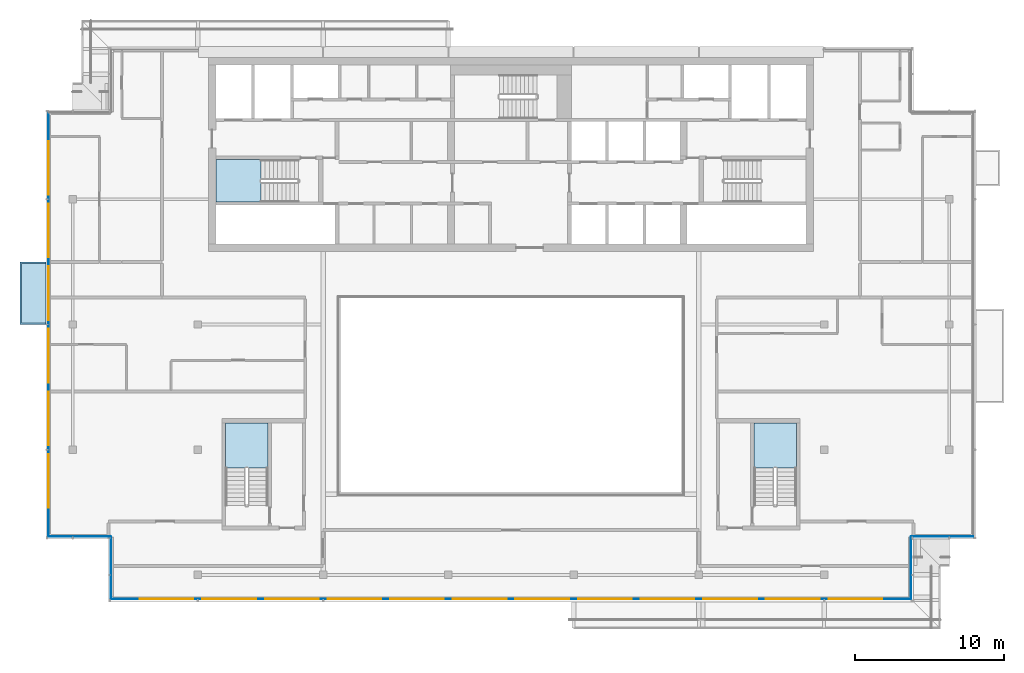
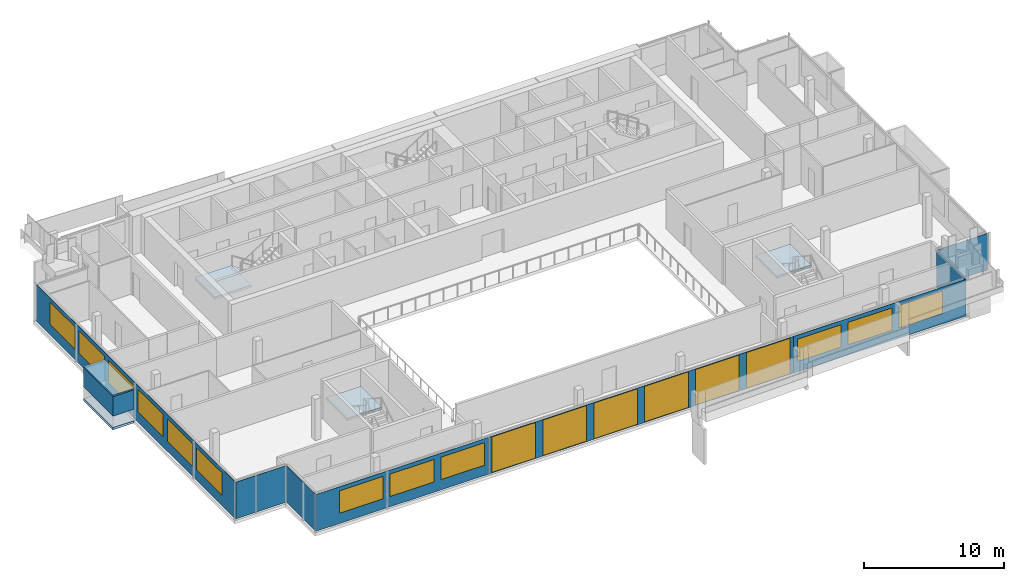
# One storey, part 9 of 21: 18 windows, 10 plates, 4 slabs, 18 openings, 9 elements without a shape of their own.
"""IFC4 building model written with IfcOpenShell, lengths in metres."""

from ifc_helpers import new_model, si_unit, direction, frame, frame_2d, origin, place, context, subcontext, project, spatial, polyline, rectangle, outline, extrude, material, layer, layer_set, type_object, element, fill, aggregate, save


model = new_model("IFC4")

# Units and contexts
model_context = context("Model", 3, precision=1e-05, world=origin(), true_north=direction((0.0, 1.0)))
body_context = subcontext(model_context, "Body", "Model", "MODEL_VIEW")
ifc_project = project(units=[si_unit("LENGTHUNIT", "METRE"), si_unit("AREAUNIT", "SQUARE_METRE"), si_unit("VOLUMEUNIT", "CUBIC_METRE"), si_unit("PLANEANGLEUNIT", "RADIAN"), si_unit("MASSUNIT", "GRAM", prefix="KILO")], contexts=[model_context])

# Site, building, storey
site_placement = place(None, origin())
site = spatial("IfcSite", under=ifc_project, at=site_placement, CompositionType="ELEMENT")
building_placement = place(site_placement, origin())
building = spatial("IfcBuilding", under=site, at=building_placement, Name="Saffron Gate Tower", CompositionType="ELEMENT")
storey_placement = place(building_placement, frame((0.0, 0.0, 288.75)))
storey = spatial("IfcBuildingStorey", under=building, at=storey_placement, Name="L70", CompositionType="ELEMENT", Elevation=288.75)

# Curtain wall, plates, openings, windows
ifc_material_1 = material(Name="Aluminium, bronze anodised", Category="aluminium")
curtain_wall_type_1 = type_object("IfcCurtainWallType", Name="CWS1 curtain wall front facade", PredefinedType="NOTDEFINED", material=ifc_material_1)
curtain_wall_1_placement = place(storey_placement, origin())
curtain_wall_1 = element("IfcCurtainWall", 1, at=curtain_wall_1_placement, inside=storey, type_object=curtain_wall_type_1, Name="CWS1 run 1", PredefinedType="NOTDEFINED")
ifc_material_2 = material(Name="Clear low-iron laminated glass", Category="glass")
ifc_layer_1 = layer(ifc_material_2, 0.028076171875)
ifc_layer_set_1 = layer_set([ifc_layer_1], Name="CWS1 clear glass")
plate_type_1 = type_object("IfcPlateType", Name="CWS1 clear glass", PredefinedType="CURTAIN_PANEL", material=ifc_layer_set_1)
plate_1_placement = place(storey_placement, frame((75.030029296875, 38.573974609375, 0.0), z_axis=(0.0, 0.0, 1.0), x_axis=(1.0, 0.0, 0.0)))
plate_1 = element("IfcPlate", 2, at=plate_1_placement, type_object=plate_type_1, Name="CWS1 clear glass panel", PredefinedType="CURTAIN_PANEL", context=body_context, shape_type="SweptSolid", body=[
    extrude(rectangle(XDim=25.139892578125, YDim=0.028076171875, at=frame_2d((12.56982421875, 0.0))), origin(), (0.0, 0.0, 1.0), 3.199951171875),
])
opening_1_placement = place(plate_1_placement, frame((0.27001953125, 0.0, 0.050048828125)))
opening_1 = element("IfcOpeningElement", 3, at=opening_1_placement, cuts=plate_1, Name="Opening WA", PredefinedType="OPENING", context=body_context, shape_type="SweptSolid", body=[
    extrude(rectangle(XDim=3.60009765625, YDim=3.10009765625, at=frame_2d((1.800048828125, 1.550048828125))), frame((0.0, 0.02392578125, 0.0), z_axis=(0.0, -1.0, 0.0), x_axis=(1.0, 0.0, 0.0)), (0.0, 0.0, 1.0), 0.048095703125),
])
opening_2_placement = place(plate_1_placement, frame((4.469970703125, 0.0, 0.050048828125)))
opening_2 = element("IfcOpeningElement", 4, at=opening_2_placement, cuts=plate_1, Name="Opening WA", PredefinedType="OPENING", context=body_context, shape_type="SweptSolid", body=[
    extrude(rectangle(XDim=3.60009765625, YDim=3.10009765625, at=frame_2d((1.800048828125, 1.550048828125))), frame((0.0, 0.02392578125, 0.0), z_axis=(0.0, -1.0, 0.0), x_axis=(1.0, 0.0, 0.0)), (0.0, 0.0, 1.0), 0.048095703125),
])
opening_3_placement = place(plate_1_placement, frame((8.669921875, 0.0, 0.050048828125)))
opening_3 = element("IfcOpeningElement", 5, at=opening_3_placement, cuts=plate_1, Name="Opening WA", PredefinedType="OPENING", context=body_context, shape_type="SweptSolid", body=[
    extrude(rectangle(XDim=3.60009765625, YDim=3.10009765625, at=frame_2d((1.800048828125, 1.550048828125))), frame((0.0, 0.02392578125, 0.0), z_axis=(0.0, -1.0, 0.0), x_axis=(1.0, 0.0, 0.0)), (0.0, 0.0, 1.0), 0.048095703125),
])
opening_4_placement = place(plate_1_placement, frame((12.8701171875, 0.0, 0.050048828125)))
opening_4 = element("IfcOpeningElement", 6, at=opening_4_placement, cuts=plate_1, Name="Opening WA", PredefinedType="OPENING", context=body_context, shape_type="SweptSolid", body=[
    extrude(rectangle(XDim=3.60009765625, YDim=3.10009765625, at=frame_2d((1.800048828125, 1.550048828125))), frame((0.0, 0.02392578125, 0.0), z_axis=(0.0, -1.0, 0.0), x_axis=(1.0, 0.0, 0.0)), (0.0, 0.0, 1.0), 0.048095703125),
])
opening_5_placement = place(plate_1_placement, frame((17.070068359375, 0.0, 0.050048828125)))
opening_5 = element("IfcOpeningElement", 7, at=opening_5_placement, cuts=plate_1, Name="Opening WA", PredefinedType="OPENING", context=body_context, shape_type="SweptSolid", body=[
    extrude(rectangle(XDim=3.60009765625, YDim=3.10009765625, at=frame_2d((1.800048828125, 1.550048828125))), frame((0.0, 0.02392578125, 0.0), z_axis=(0.0, -1.0, 0.0), x_axis=(1.0, 0.0, 0.0)), (0.0, 0.0, 1.0), 0.048095703125),
])
opening_6_placement = place(plate_1_placement, frame((21.27001953125, 0.0, 0.050048828125)))
opening_6 = element("IfcOpeningElement", 8, at=opening_6_placement, cuts=plate_1, Name="Opening WA", PredefinedType="OPENING", context=body_context, shape_type="SweptSolid", body=[
    extrude(rectangle(XDim=3.60009765625, YDim=3.10009765625, at=frame_2d((1.800048828125, 1.550048828125))), frame((0.0, 0.02392578125, 0.0), z_axis=(0.0, -1.0, 0.0), x_axis=(1.0, 0.0, 0.0)), (0.0, 0.0, 1.0), 0.048095703125),
])
ifc_material_3 = material(Name="Clear low-iron laminated glass in bronze frame", Category="glass")
ifc_layer_2 = layer(ifc_material_3, 0.06005859375)
ifc_layer_set_2 = layer_set([ifc_layer_2], Name="WA operable atrium unit 3600x3100")
window_type_1 = type_object("IfcWindowType", Name="WA operable atrium unit 3600x3100", PartitioningType="DOUBLE_PANEL_HORIZONTAL", PredefinedType="WINDOW", material=ifc_layer_set_2)
window_1_placement = place(opening_1_placement, origin())
window_1 = element("IfcWindow", 9, at=window_1_placement, type_object=window_type_1, Name="WA operable atrium unit", OverallHeight=3.10009765625, OverallWidth=3.60009765625, PartitioningType="SINGLE_PANEL", PredefinedType="WINDOW", context=body_context, shape_type="SweptSolid", body=[
    extrude(rectangle(XDim=3.60009765625, YDim=3.10009765625, at=frame_2d((1.800048828125, 1.550048828125))), frame((0.0, 0.013671875, 0.0), z_axis=(0.0, -1.0, 0.0), x_axis=(1.0, 0.0, 0.0)), (0.0, 0.0, 1.0), 0.027587890625),
])
fill(opening_1, window_1)
window_2_placement = place(opening_2_placement, origin())
window_2 = element("IfcWindow", 10, at=window_2_placement, type_object=window_type_1, Name="WA operable atrium unit", OverallHeight=3.10009765625, OverallWidth=3.60009765625, PartitioningType="SINGLE_PANEL", PredefinedType="WINDOW", context=body_context, shape_type="SweptSolid", body=[
    extrude(rectangle(XDim=3.60009765625, YDim=3.10009765625, at=frame_2d((1.800048828125, 1.550048828125))), frame((0.0, 0.013671875, 0.0), z_axis=(0.0, -1.0, 0.0), x_axis=(1.0, 0.0, 0.0)), (0.0, 0.0, 1.0), 0.027587890625),
])
fill(opening_2, window_2)
window_3_placement = place(opening_3_placement, origin())
window_3 = element("IfcWindow", 11, at=window_3_placement, type_object=window_type_1, Name="WA operable atrium unit", OverallHeight=3.10009765625, OverallWidth=3.60009765625, PartitioningType="SINGLE_PANEL", PredefinedType="WINDOW", context=body_context, shape_type="SweptSolid", body=[
    extrude(rectangle(XDim=3.60009765625, YDim=3.10009765625, at=frame_2d((1.800048828125, 1.550048828125))), frame((0.0, 0.013671875, 0.0), z_axis=(0.0, -1.0, 0.0), x_axis=(1.0, 0.0, 0.0)), (0.0, 0.0, 1.0), 0.027587890625),
])
fill(opening_3, window_3)
window_4_placement = place(opening_4_placement, origin())
window_4 = element("IfcWindow", 12, at=window_4_placement, type_object=window_type_1, Name="WA operable atrium unit", OverallHeight=3.10009765625, OverallWidth=3.60009765625, PartitioningType="SINGLE_PANEL", PredefinedType="WINDOW", context=body_context, shape_type="SweptSolid", body=[
    extrude(rectangle(XDim=3.60009765625, YDim=3.10009765625, at=frame_2d((1.800048828125, 1.550048828125))), frame((0.0, 0.013671875, 0.0), z_axis=(0.0, -1.0, 0.0), x_axis=(1.0, 0.0, 0.0)), (0.0, 0.0, 1.0), 0.027587890625),
])
fill(opening_4, window_4)
window_5_placement = place(opening_5_placement, origin())
window_5 = element("IfcWindow", 13, at=window_5_placement, type_object=window_type_1, Name="WA operable atrium unit", OverallHeight=3.10009765625, OverallWidth=3.60009765625, PartitioningType="SINGLE_PANEL", PredefinedType="WINDOW", context=body_context, shape_type="SweptSolid", body=[
    extrude(rectangle(XDim=3.60009765625, YDim=3.10009765625, at=frame_2d((1.800048828125, 1.550048828125))), frame((0.0, 0.013671875, 0.0), z_axis=(0.0, -1.0, 0.0), x_axis=(1.0, 0.0, 0.0)), (0.0, 0.0, 1.0), 0.027587890625),
])
fill(opening_5, window_5)
window_6_placement = place(opening_6_placement, origin())
window_6 = element("IfcWindow", 14, at=window_6_placement, type_object=window_type_1, Name="WA operable atrium unit", OverallHeight=3.10009765625, OverallWidth=3.60009765625, PartitioningType="SINGLE_PANEL", PredefinedType="WINDOW", context=body_context, shape_type="SweptSolid", body=[
    extrude(rectangle(XDim=3.60009765625, YDim=3.10009765625, at=frame_2d((1.800048828125, 1.550048828125))), frame((0.0, 0.013671875, 0.0), z_axis=(0.0, -1.0, 0.0), x_axis=(1.0, 0.0, 0.0)), (0.0, 0.0, 1.0), 0.027587890625),
])
fill(opening_6, window_6)
ifc_material_4 = material(Name="Fritted bronze-tinted laminated glass", Category="glass")
ifc_layer_3 = layer(ifc_material_4, 0.028076171875)
ifc_layer_set_3 = layer_set([ifc_layer_3], Name="CWS1 fixed glass")
plate_type_2 = type_object("IfcPlateType", Name="CWS1 fixed glass", PredefinedType="CURTAIN_PANEL", material=ifc_layer_set_3)
plate_2_placement = place(storey_placement, frame((60.7880859375, 38.573974609375, 0.0), z_axis=(0.0, 0.0, 1.0), x_axis=(1.0, 0.0, 0.0)))
plate_2 = element("IfcPlate", 15, at=plate_2_placement, type_object=plate_type_2, Name="CWS1 glass panel", PredefinedType="CURTAIN_PANEL", context=body_context, shape_type="SweptSolid", body=[
    extrude(rectangle(XDim=14.241943359375, YDim=0.028076171875, at=frame_2d((7.12109375, 0.0))), origin(), (0.0, 0.0, 1.0), 3.199951171875),
])
opening_7_placement = place(plate_2_placement, frame((1.912109375, 0.0, 0.89990234375)))
opening_7 = element("IfcOpeningElement", 16, at=opening_7_placement, cuts=plate_2, Name="Opening W1", PredefinedType="OPENING", context=body_context, shape_type="SweptSolid", body=[
    extrude(rectangle(XDim=3.60009765625, YDim=1.949951171875, at=frame_2d((1.800048828125, 0.97509765625))), frame((0.0, 0.02392578125, 0.0), z_axis=(0.0, -1.0, 0.0), x_axis=(1.0, 0.0, 0.0)), (0.0, 0.0, 1.0), 0.048095703125),
])
opening_8_placement = place(plate_2_placement, frame((6.112060546875, 0.0, 0.89990234375)))
opening_8 = element("IfcOpeningElement", 17, at=opening_8_placement, cuts=plate_2, Name="Opening W1", PredefinedType="OPENING", context=body_context, shape_type="SweptSolid", body=[
    extrude(rectangle(XDim=3.60009765625, YDim=1.949951171875, at=frame_2d((1.800048828125, 0.97509765625))), frame((0.0, 0.02392578125, 0.0), z_axis=(0.0, -1.0, 0.0), x_axis=(1.0, 0.0, 0.0)), (0.0, 0.0, 1.0), 0.048095703125),
])
opening_9_placement = place(plate_2_placement, frame((10.31201171875, 0.0, 0.89990234375)))
opening_9 = element("IfcOpeningElement", 18, at=opening_9_placement, cuts=plate_2, Name="Opening W1", PredefinedType="OPENING", context=body_context, shape_type="SweptSolid", body=[
    extrude(rectangle(XDim=3.60009765625, YDim=1.949951171875, at=frame_2d((1.800048828125, 0.97509765625))), frame((0.0, 0.02392578125, 0.0), z_axis=(0.0, -1.0, 0.0), x_axis=(1.0, 0.0, 0.0)), (0.0, 0.0, 1.0), 0.048095703125),
])
ifc_material_5 = material(Name="Fritted bronze-tinted laminated glass in bronze frame", Category="glass")
ifc_layer_4 = layer(ifc_material_5, 0.06005859375)
ifc_layer_set_4 = layer_set([ifc_layer_4], Name="W1 operable panel 3600x1950")
window_type_2 = type_object("IfcWindowType", Name="W1 operable panel 3600x1950", PartitioningType="DOUBLE_PANEL_HORIZONTAL", PredefinedType="WINDOW", material=ifc_layer_set_4)
window_7_placement = place(opening_7_placement, origin())
window_7 = element("IfcWindow", 19, at=window_7_placement, type_object=window_type_2, Name="W1 operable panel", OverallHeight=1.949951171875, OverallWidth=3.60009765625, PartitioningType="SINGLE_PANEL", PredefinedType="WINDOW", context=body_context, shape_type="SweptSolid", body=[
    extrude(rectangle(XDim=3.60009765625, YDim=1.949951171875, at=frame_2d((1.800048828125, 0.97509765625))), frame((0.0, 0.013671875, 0.0), z_axis=(0.0, -1.0, 0.0), x_axis=(1.0, 0.0, 0.0)), (0.0, 0.0, 1.0), 0.027587890625),
])
fill(opening_7, window_7)
window_8_placement = place(opening_8_placement, origin())
window_8 = element("IfcWindow", 20, at=window_8_placement, type_object=window_type_2, Name="W1 operable panel", OverallHeight=1.949951171875, OverallWidth=3.60009765625, PartitioningType="SINGLE_PANEL", PredefinedType="WINDOW", context=body_context, shape_type="SweptSolid", body=[
    extrude(rectangle(XDim=3.60009765625, YDim=1.949951171875, at=frame_2d((1.800048828125, 0.97509765625))), frame((0.0, 0.013671875, 0.0), z_axis=(0.0, -1.0, 0.0), x_axis=(1.0, 0.0, 0.0)), (0.0, 0.0, 1.0), 0.027587890625),
])
fill(opening_8, window_8)
window_9_placement = place(opening_9_placement, origin())
window_9 = element("IfcWindow", 21, at=window_9_placement, type_object=window_type_2, Name="W1 operable panel", OverallHeight=1.949951171875, OverallWidth=3.60009765625, PartitioningType="SINGLE_PANEL", PredefinedType="WINDOW", context=body_context, shape_type="SweptSolid", body=[
    extrude(rectangle(XDim=3.60009765625, YDim=1.949951171875, at=frame_2d((1.800048828125, 0.97509765625))), frame((0.0, 0.013671875, 0.0), z_axis=(0.0, -1.0, 0.0), x_axis=(1.0, 0.0, 0.0)), (0.0, 0.0, 1.0), 0.027587890625),
])
fill(opening_9, window_9)
plate_3_placement = place(storey_placement, frame((100.169921875, 38.573974609375, 0.0), z_axis=(0.0, 0.0, 1.0), x_axis=(1.0, 0.0, 0.0)))
plate_3 = element("IfcPlate", 22, at=plate_3_placement, type_object=plate_type_2, Name="CWS1 glass panel", PredefinedType="CURTAIN_PANEL", context=body_context, shape_type="SweptSolid", body=[
    extrude(rectangle(XDim=14.2421875, YDim=0.028076171875, at=frame_2d((7.12109375, 0.0))), origin(), (0.0, 0.0, 1.0), 3.199951171875),
])
opening_10_placement = place(plate_3_placement, frame((0.330078125, 0.0, 0.89990234375)))
opening_10 = element("IfcOpeningElement", 23, at=opening_10_placement, cuts=plate_3, Name="Opening W1", PredefinedType="OPENING", context=body_context, shape_type="SweptSolid", body=[
    extrude(rectangle(XDim=3.60009765625, YDim=1.949951171875, at=frame_2d((1.800048828125, 0.97509765625))), frame((0.0, 0.02392578125, 0.0), z_axis=(0.0, -1.0, 0.0), x_axis=(1.0, 0.0, 0.0)), (0.0, 0.0, 1.0), 0.048095703125),
])
opening_11_placement = place(plate_3_placement, frame((4.530029296875, 0.0, 0.89990234375)))
opening_11 = element("IfcOpeningElement", 24, at=opening_11_placement, cuts=plate_3, Name="Opening W1", PredefinedType="OPENING", context=body_context, shape_type="SweptSolid", body=[
    extrude(rectangle(XDim=3.60009765625, YDim=1.949951171875, at=frame_2d((1.800048828125, 0.97509765625))), frame((0.0, 0.02392578125, 0.0), z_axis=(0.0, -1.0, 0.0), x_axis=(1.0, 0.0, 0.0)), (0.0, 0.0, 1.0), 0.048095703125),
])
opening_12_placement = place(plate_3_placement, frame((8.72998046875, 0.0, 0.89990234375)))
opening_12 = element("IfcOpeningElement", 25, at=opening_12_placement, cuts=plate_3, Name="Opening W1", PredefinedType="OPENING", context=body_context, shape_type="SweptSolid", body=[
    extrude(rectangle(XDim=3.60009765625, YDim=1.949951171875, at=frame_2d((1.800048828125, 0.97509765625))), frame((0.0, 0.02392578125, 0.0), z_axis=(0.0, -1.0, 0.0), x_axis=(1.0, 0.0, 0.0)), (0.0, 0.0, 1.0), 0.048095703125),
])
window_10_placement = place(opening_10_placement, origin())
window_10 = element("IfcWindow", 26, at=window_10_placement, type_object=window_type_2, Name="W1 operable panel", OverallHeight=1.949951171875, OverallWidth=3.60009765625, PartitioningType="SINGLE_PANEL", PredefinedType="WINDOW", context=body_context, shape_type="SweptSolid", body=[
    extrude(rectangle(XDim=3.60009765625, YDim=1.949951171875, at=frame_2d((1.800048828125, 0.97509765625))), frame((0.0, 0.013671875, 0.0), z_axis=(0.0, -1.0, 0.0), x_axis=(1.0, 0.0, 0.0)), (0.0, 0.0, 1.0), 0.027587890625),
])
fill(opening_10, window_10)
window_11_placement = place(opening_11_placement, origin())
window_11 = element("IfcWindow", 27, at=window_11_placement, type_object=window_type_2, Name="W1 operable panel", OverallHeight=1.949951171875, OverallWidth=3.60009765625, PartitioningType="SINGLE_PANEL", PredefinedType="WINDOW", context=body_context, shape_type="SweptSolid", body=[
    extrude(rectangle(XDim=3.60009765625, YDim=1.949951171875, at=frame_2d((1.800048828125, 0.97509765625))), frame((0.0, 0.013671875, 0.0), z_axis=(0.0, -1.0, 0.0), x_axis=(1.0, 0.0, 0.0)), (0.0, 0.0, 1.0), 0.027587890625),
])
fill(opening_11, window_11)
window_12_placement = place(opening_12_placement, origin())
window_12 = element("IfcWindow", 28, at=window_12_placement, type_object=window_type_2, Name="W1 operable panel", OverallHeight=1.949951171875, OverallWidth=3.60009765625, PartitioningType="SINGLE_PANEL", PredefinedType="WINDOW", context=body_context, shape_type="SweptSolid", body=[
    extrude(rectangle(XDim=3.60009765625, YDim=1.949951171875, at=frame_2d((1.800048828125, 0.97509765625))), frame((0.0, 0.013671875, 0.0), z_axis=(0.0, -1.0, 0.0), x_axis=(1.0, 0.0, 0.0)), (0.0, 0.0, 1.0), 0.027587890625),
])
fill(opening_12, window_12)
aggregate(curtain_wall_1, [plate_2, plate_3, plate_1, window_7, window_8, window_9, window_10, window_11, window_12, window_1, window_2, window_3, window_4, window_5, window_6])

# Curtain wall, plate, openings, windows
curtain_wall_type_2 = type_object("IfcCurtainWallType", Name="CWS2 curtain wall side facades", PredefinedType="NOTDEFINED", material=ifc_material_1)
curtain_wall_2_placement = place(storey_placement, origin())
curtain_wall_2 = element("IfcCurtainWall", 29, at=curtain_wall_2_placement, inside=storey, type_object=curtain_wall_type_2, Name="CWS2 run 10", PredefinedType="NOTDEFINED")
ifc_layer_5 = layer(ifc_material_4, 0.028076171875)
ifc_layer_set_5 = layer_set([ifc_layer_5], Name="CWS2 fixed glass")
plate_type_3 = type_object("IfcPlateType", Name="CWS2 fixed glass", PredefinedType="CURTAIN_PANEL", material=ifc_layer_set_5)
plate_4_placement = place(storey_placement, frame((56.573974609375, 71.2119140625, 0.0), z_axis=(0.0, 0.0, 1.0), x_axis=(0.0, -1.0, 0.0)))
plate_4 = element("IfcPlate", 30, at=plate_4_placement, type_object=plate_type_3, Name="CWS2 glass panel", PredefinedType="CURTAIN_PANEL", context=body_context, shape_type="SweptSolid", body=[
    extrude(rectangle(XDim=28.423828125, YDim=0.028076171875, at=frame_2d((14.2119140625, 0.0))), origin(), (0.0, 0.0, 1.0), 3.199951171875),
])
opening_13_placement = place(plate_4_placement, frame((1.912109375, 0.0, 0.89990234375)))
opening_13 = element("IfcOpeningElement", 31, at=opening_13_placement, cuts=plate_4, Name="Opening W1", PredefinedType="OPENING", context=body_context, shape_type="SweptSolid", body=[
    extrude(rectangle(XDim=3.60009765625, YDim=1.949951171875, at=frame_2d((1.800048828125, 0.97509765625))), frame((0.0, 0.02392578125, 0.0), z_axis=(0.0, -1.0, 0.0), x_axis=(1.0, 0.0, 0.0)), (0.0, 0.0, 1.0), 0.048095703125),
])
opening_14_placement = place(plate_4_placement, frame((6.112060546875, 0.0, 0.89990234375)))
opening_14 = element("IfcOpeningElement", 32, at=opening_14_placement, cuts=plate_4, Name="Opening W1", PredefinedType="OPENING", context=body_context, shape_type="SweptSolid", body=[
    extrude(rectangle(XDim=3.60009765625, YDim=1.949951171875, at=frame_2d((1.800048828125, 0.97509765625))), frame((0.0, 0.02392578125, 0.0), z_axis=(0.0, -1.0, 0.0), x_axis=(1.0, 0.0, 0.0)), (0.0, 0.0, 1.0), 0.048095703125),
])
opening_15_placement = place(plate_4_placement, frame((10.31201171875, 0.0, 0.89990234375)))
opening_15 = element("IfcOpeningElement", 33, at=opening_15_placement, cuts=plate_4, Name="Opening W1", PredefinedType="OPENING", context=body_context, shape_type="SweptSolid", body=[
    extrude(rectangle(XDim=3.60009765625, YDim=1.949951171875, at=frame_2d((1.800048828125, 0.97509765625))), frame((0.0, 0.02392578125, 0.0), z_axis=(0.0, -1.0, 0.0), x_axis=(1.0, 0.0, 0.0)), (0.0, 0.0, 1.0), 0.048095703125),
])
opening_16_placement = place(plate_4_placement, frame((14.511962890625, 0.0, 0.89990234375)))
opening_16 = element("IfcOpeningElement", 34, at=opening_16_placement, cuts=plate_4, Name="Opening W1", PredefinedType="OPENING", context=body_context, shape_type="SweptSolid", body=[
    extrude(rectangle(XDim=3.60009765625, YDim=1.949951171875, at=frame_2d((1.800048828125, 0.97509765625))), frame((0.0, 0.02392578125, 0.0), z_axis=(0.0, -1.0, 0.0), x_axis=(1.0, 0.0, 0.0)), (0.0, 0.0, 1.0), 0.048095703125),
])
opening_17_placement = place(plate_4_placement, frame((18.7119140625, 0.0, 0.89990234375)))
opening_17 = element("IfcOpeningElement", 35, at=opening_17_placement, cuts=plate_4, Name="Opening W1", PredefinedType="OPENING", context=body_context, shape_type="SweptSolid", body=[
    extrude(rectangle(XDim=3.60009765625, YDim=1.949951171875, at=frame_2d((1.800048828125, 0.97509765625))), frame((0.0, 0.02392578125, 0.0), z_axis=(0.0, -1.0, 0.0), x_axis=(1.0, 0.0, 0.0)), (0.0, 0.0, 1.0), 0.048095703125),
])
opening_18_placement = place(plate_4_placement, frame((22.912109375, 0.0, 0.89990234375)))
opening_18 = element("IfcOpeningElement", 36, at=opening_18_placement, cuts=plate_4, Name="Opening W1", PredefinedType="OPENING", context=body_context, shape_type="SweptSolid", body=[
    extrude(rectangle(XDim=3.60009765625, YDim=1.949951171875, at=frame_2d((1.800048828125, 0.97509765625))), frame((0.0, 0.02392578125, 0.0), z_axis=(0.0, -1.0, 0.0), x_axis=(1.0, 0.0, 0.0)), (0.0, 0.0, 1.0), 0.048095703125),
])
window_13_placement = place(opening_13_placement, origin())
window_13 = element("IfcWindow", 37, at=window_13_placement, type_object=window_type_2, Name="W1 operable panel", OverallHeight=1.949951171875, OverallWidth=3.60009765625, PartitioningType="SINGLE_PANEL", PredefinedType="WINDOW", context=body_context, shape_type="SweptSolid", body=[
    extrude(rectangle(XDim=3.60009765625, YDim=1.949951171875, at=frame_2d((1.800048828125, 0.97509765625))), frame((0.0, 0.013671875, 0.0), z_axis=(0.0, -1.0, 0.0), x_axis=(1.0, 0.0, 0.0)), (0.0, 0.0, 1.0), 0.027587890625),
])
fill(opening_13, window_13)
window_14_placement = place(opening_14_placement, origin())
window_14 = element("IfcWindow", 38, at=window_14_placement, type_object=window_type_2, Name="W1 operable panel", OverallHeight=1.949951171875, OverallWidth=3.60009765625, PartitioningType="SINGLE_PANEL", PredefinedType="WINDOW", context=body_context, shape_type="SweptSolid", body=[
    extrude(rectangle(XDim=3.60009765625, YDim=1.949951171875, at=frame_2d((1.800048828125, 0.97509765625))), frame((0.0, 0.013671875, 0.0), z_axis=(0.0, -1.0, 0.0), x_axis=(1.0, 0.0, 0.0)), (0.0, 0.0, 1.0), 0.027587890625),
])
fill(opening_14, window_14)
window_15_placement = place(opening_15_placement, origin())
window_15 = element("IfcWindow", 39, at=window_15_placement, type_object=window_type_2, Name="W1 operable panel", OverallHeight=1.949951171875, OverallWidth=3.60009765625, PartitioningType="SINGLE_PANEL", PredefinedType="WINDOW", context=body_context, shape_type="SweptSolid", body=[
    extrude(rectangle(XDim=3.60009765625, YDim=1.949951171875, at=frame_2d((1.800048828125, 0.97509765625))), frame((0.0, 0.013671875, 0.0), z_axis=(0.0, -1.0, 0.0), x_axis=(1.0, 0.0, 0.0)), (0.0, 0.0, 1.0), 0.027587890625),
])
fill(opening_15, window_15)
window_16_placement = place(opening_16_placement, origin())
window_16 = element("IfcWindow", 40, at=window_16_placement, type_object=window_type_2, Name="W1 operable panel", OverallHeight=1.949951171875, OverallWidth=3.60009765625, PartitioningType="SINGLE_PANEL", PredefinedType="WINDOW", context=body_context, shape_type="SweptSolid", body=[
    extrude(rectangle(XDim=3.60009765625, YDim=1.949951171875, at=frame_2d((1.800048828125, 0.97509765625))), frame((0.0, 0.013671875, 0.0), z_axis=(0.0, -1.0, 0.0), x_axis=(1.0, 0.0, 0.0)), (0.0, 0.0, 1.0), 0.027587890625),
])
fill(opening_16, window_16)
window_17_placement = place(opening_17_placement, origin())
window_17 = element("IfcWindow", 41, at=window_17_placement, type_object=window_type_2, Name="W1 operable panel", OverallHeight=1.949951171875, OverallWidth=3.60009765625, PartitioningType="SINGLE_PANEL", PredefinedType="WINDOW", context=body_context, shape_type="SweptSolid", body=[
    extrude(rectangle(XDim=3.60009765625, YDim=1.949951171875, at=frame_2d((1.800048828125, 0.97509765625))), frame((0.0, 0.013671875, 0.0), z_axis=(0.0, -1.0, 0.0), x_axis=(1.0, 0.0, 0.0)), (0.0, 0.0, 1.0), 0.027587890625),
])
fill(opening_17, window_17)
window_18_placement = place(opening_18_placement, origin())
window_18 = element("IfcWindow", 42, at=window_18_placement, type_object=window_type_2, Name="W1 operable panel", OverallHeight=1.949951171875, OverallWidth=3.60009765625, PartitioningType="SINGLE_PANEL", PredefinedType="WINDOW", context=body_context, shape_type="SweptSolid", body=[
    extrude(rectangle(XDim=3.60009765625, YDim=1.949951171875, at=frame_2d((1.800048828125, 0.97509765625))), frame((0.0, 0.013671875, 0.0), z_axis=(0.0, -1.0, 0.0), x_axis=(1.0, 0.0, 0.0)), (0.0, 0.0, 1.0), 0.027587890625),
])
fill(opening_18, window_18)
aggregate(curtain_wall_2, [plate_4, window_13, window_14, window_15, window_16, window_17, window_18])

# Curtain wall, plate
curtain_wall_type_3 = type_object("IfcCurtainWallType", Name="CWS4 curtain wall corner returns", PredefinedType="NOTDEFINED", material=ifc_material_1)
curtain_wall_3_placement = place(storey_placement, origin())
curtain_wall_3 = element("IfcCurtainWall", 43, at=curtain_wall_3_placement, inside=storey, type_object=curtain_wall_type_3, Name="CWS4 run 2", PredefinedType="NOTDEFINED")
ifc_layer_6 = layer(ifc_material_4, 0.028076171875)
ifc_layer_set_6 = layer_set([ifc_layer_6], Name="CWS4 fixed glass")
plate_type_4 = type_object("IfcPlateType", Name="CWS4 fixed glass", PredefinedType="CURTAIN_PANEL", material=ifc_layer_set_6)
plate_5_placement = place(storey_placement, frame((114.426025390625, 38.587890625, 0.0), z_axis=(0.0, 0.0, 1.0), x_axis=(0.0, 1.0, 0.0)))
plate_5 = element("IfcPlate", 44, at=plate_5_placement, type_object=plate_type_4, Name="CWS4 glass panel", PredefinedType="CURTAIN_PANEL", context=body_context, shape_type="SweptSolid", body=[
    extrude(rectangle(XDim=4.172119140625, YDim=0.028076171875, at=frame_2d((2.0859375, 0.0))), origin(), (0.0, 0.0, 1.0), 3.199951171875),
])
aggregate(curtain_wall_3, [plate_5])

curtain_wall_4_placement = place(storey_placement, origin())
curtain_wall_4 = element("IfcCurtainWall", 45, at=curtain_wall_4_placement, inside=storey, type_object=curtain_wall_type_3, Name="CWS4 run 3", PredefinedType="NOTDEFINED")
plate_6_placement = place(storey_placement, frame((114.43994140625, 42.77392578125, 0.0), z_axis=(0.0, 0.0, 1.0), x_axis=(1.0, 0.0, 0.0)))
plate_6 = element("IfcPlate", 46, at=plate_6_placement, type_object=plate_type_4, Name="CWS4 glass panel", PredefinedType="CURTAIN_PANEL", context=body_context, shape_type="SweptSolid", body=[
    extrude(rectangle(XDim=4.172119140625, YDim=0.028076171875, at=frame_2d((2.0859375, 0.0))), origin(), (0.0, 0.0, 1.0), 3.199951171875),
])
aggregate(curtain_wall_4, [plate_6])

curtain_wall_5_placement = place(storey_placement, origin())
curtain_wall_5 = element("IfcCurtainWall", 47, at=curtain_wall_5_placement, inside=storey, type_object=curtain_wall_type_3, Name="CWS4 run 11", PredefinedType="NOTDEFINED")
plate_7_placement = place(storey_placement, frame((56.587890625, 42.77392578125, 0.0), z_axis=(0.0, 0.0, 1.0), x_axis=(1.0, 0.0, 0.0)))
plate_7 = element("IfcPlate", 48, at=plate_7_placement, type_object=plate_type_4, Name="CWS4 glass panel", PredefinedType="CURTAIN_PANEL", context=body_context, shape_type="SweptSolid", body=[
    extrude(rectangle(XDim=4.172119140625, YDim=0.028076171875, at=frame_2d((2.0859375, 0.0))), origin(), (0.0, 0.0, 1.0), 3.199951171875),
])
aggregate(curtain_wall_5, [plate_7])

curtain_wall_6_placement = place(storey_placement, origin())
curtain_wall_6 = element("IfcCurtainWall", 49, at=curtain_wall_6_placement, inside=storey, type_object=curtain_wall_type_3, Name="CWS4 run 12", PredefinedType="NOTDEFINED")
plate_8_placement = place(storey_placement, frame((60.77392578125, 42.760009765625, 0.0), z_axis=(0.0, 0.0, 1.0), x_axis=(0.0, -1.0, 0.0)))
plate_8 = element("IfcPlate", 50, at=plate_8_placement, type_object=plate_type_4, Name="CWS4 glass panel", PredefinedType="CURTAIN_PANEL", context=body_context, shape_type="SweptSolid", body=[
    extrude(rectangle(XDim=4.172119140625, YDim=0.028076171875, at=frame_2d((2.0859375, 0.0))), origin(), (0.0, 0.0, 1.0), 3.199951171875),
])
aggregate(curtain_wall_6, [plate_8])

# Stair, slab
ifc_material_6 = material(Name="Concrete C40", Category="concrete")
stair_type = type_object("IfcStairType", Name="ST7 Stair 1350 wide, 20 risers of 180", PredefinedType="HALF_TURN_STAIR", material=ifc_material_6)
stair_1_placement = place(storey_placement, origin())
stair_1 = element("IfcStair", 51, at=stair_1_placement, inside=storey, type_object=stair_type, Name="L70 Exit stair A", PredefinedType="HALF_TURN_STAIR")
ifc_layer_7 = layer(ifc_material_6, 0.199951171875)
ifc_layer_set_7 = layer_set([ifc_layer_7], Name="SL1 Stair landing 200")
slab_type_1 = type_object("IfcSlabType", Name="SL1 Stair landing 200", PredefinedType="LANDING", material=ifc_layer_set_7)
slab_1_placement = place(storey_placement, frame((0.0, 0.0, 1.60009765625)))
slab_1 = element("IfcSlab", 52, at=slab_1_placement, type_object=slab_type_1, Name="ST-A landing 1", PredefinedType="LANDING", context=body_context, shape_type="SweptSolid", body=[
    extrude(outline(polyline([(70.830078125, 68.050048828125), (67.800048828125, 68.050048828125), (67.800048828125, 65.199951171875), (70.830078125, 65.199951171875), (70.830078125, 68.050048828125)])), origin(), (0.0, 0.0, 1.0), 0.199951171875),
])
aggregate(stair_1, [slab_1])

stair_2_placement = place(storey_placement, origin())
stair_2 = element("IfcStair", 53, at=stair_2_placement, inside=storey, type_object=stair_type, Name="L70 Exit stair D", PredefinedType="HALF_TURN_STAIR")
slab_2_placement = place(storey_placement, frame((0.0, 0.0, 1.60009765625)))
slab_2 = element("IfcSlab", 54, at=slab_2_placement, type_object=slab_type_1, Name="ST-D landing 1", PredefinedType="LANDING", context=body_context, shape_type="SweptSolid", body=[
    extrude(outline(polyline([(71.300048828125, 47.3701171875), (71.300048828125, 50.39990234375), (68.449951171875, 50.39990234375), (68.449951171875, 47.3701171875), (71.300048828125, 47.3701171875)])), origin(), (0.0, 0.0, 1.0), 0.199951171875),
])
aggregate(stair_2, [slab_2])

stair_3_placement = place(storey_placement, origin())
stair_3 = element("IfcStair", 55, at=stair_3_placement, inside=storey, type_object=stair_type, Name="L70 Exit stair E", PredefinedType="HALF_TURN_STAIR")
slab_3_placement = place(storey_placement, frame((0.0, 0.0, 1.60009765625)))
slab_3 = element("IfcSlab", 56, at=slab_3_placement, type_object=slab_type_1, Name="ST-E landing 1", PredefinedType="LANDING", context=body_context, shape_type="SweptSolid", body=[
    extrude(outline(polyline([(106.75, 47.3701171875), (106.75, 50.39990234375), (103.89990234375, 50.39990234375), (103.89990234375, 47.3701171875), (106.75, 47.3701171875)])), origin(), (0.0, 0.0, 1.0), 0.199951171875),
])
aggregate(stair_3, [slab_3])

# Slab
ifc_material_7 = material(Name="Timber deck on bronze frame", Category="wood")
ifc_layer_8 = layer(ifc_material_7, 0.199951171875)
ifc_layer_set_8 = layer_set([ifc_layer_8], Name="WB1 box floor")
slab_type_2 = type_object("IfcSlabType", Name="WB1 box floor", PredefinedType="FLOOR", material=ifc_layer_set_8)
slab_4_placement = place(storey_placement, frame((0.0, 0.0, -0.199951171875)))
element("IfcSlab", 57, at=slab_4_placement, inside=storey, type_object=slab_type_2, Name="WINDOW BOX floor", PredefinedType="FLOOR", context=body_context, shape_type="SweptSolid", body=[
    extrude(outline(polyline([(56.39990234375, 61.199951171875), (56.39990234375, 57.0), (54.6669921875, 57.0), (54.6669921875, 61.199951171875), (56.39990234375, 61.199951171875)])), origin(), (0.0, 0.0, 1.0), 0.199951171875),
])

# Plates
ifc_layer_9 = layer(ifc_material_1, 0.1201171875)
ifc_layer_set_9 = layer_set([ifc_layer_9], Name="WB2 box roof")
plate_type_5 = type_object("IfcPlateType", Name="WB2 box roof", PredefinedType="SHEET", material=ifc_layer_set_9)
plate_9_placement = place(storey_placement, frame((0.0, 0.0, 2.699951171875)))
element("IfcPlate", 58, at=plate_9_placement, inside=storey, type_object=plate_type_5, Name="WINDOW BOX roof", PredefinedType="SHEET", context=body_context, shape_type="SweptSolid", body=[
    extrude(outline(polyline([(56.39990234375, 61.199951171875), (56.39990234375, 57.0), (54.6669921875, 57.0), (54.6669921875, 61.199951171875), (56.39990234375, 61.199951171875)])), origin(), (0.0, 0.0, 1.0), 0.1201171875),
])
ifc_layer_10 = layer(ifc_material_2, 0.10009765625)
ifc_layer_set_10 = layer_set([ifc_layer_10], Name="WB6 box glazing")
plate_type_6 = type_object("IfcPlateType", Name="WB6 box glazing", PredefinedType="SHEET", material=ifc_layer_set_10)
plate_10_placement = place(storey_placement, frame((0.0, 0.0, 1.0)))
element("IfcPlate", 59, at=plate_10_placement, inside=storey, type_object=plate_type_6, Name="WINDOW BOX glazing", PredefinedType="SHEET", context=body_context, shape_type="SweptSolid", body=[
    extrude(outline(polyline([(56.39990234375, 61.199951171875), (56.39990234375, 61.10009765625), (54.76708984375, 61.10009765625), (54.76708984375, 57.10009765625), (56.39990234375, 57.10009765625), (56.39990234375, 57.0), (54.6669921875, 57.0), (54.6669921875, 61.199951171875), (56.39990234375, 61.199951171875)])), origin(), (0.0, 0.0, 1.0), 1.699951171875),
])

save(model, "model.ifc")
